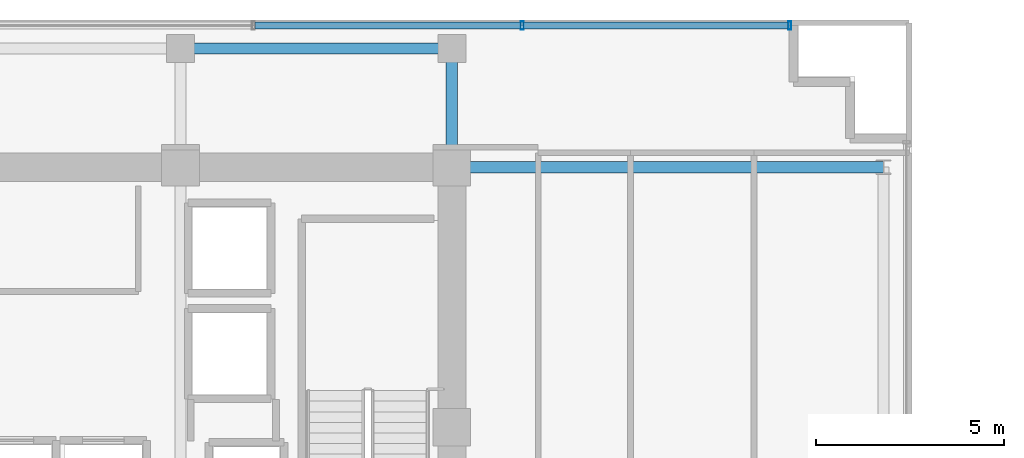
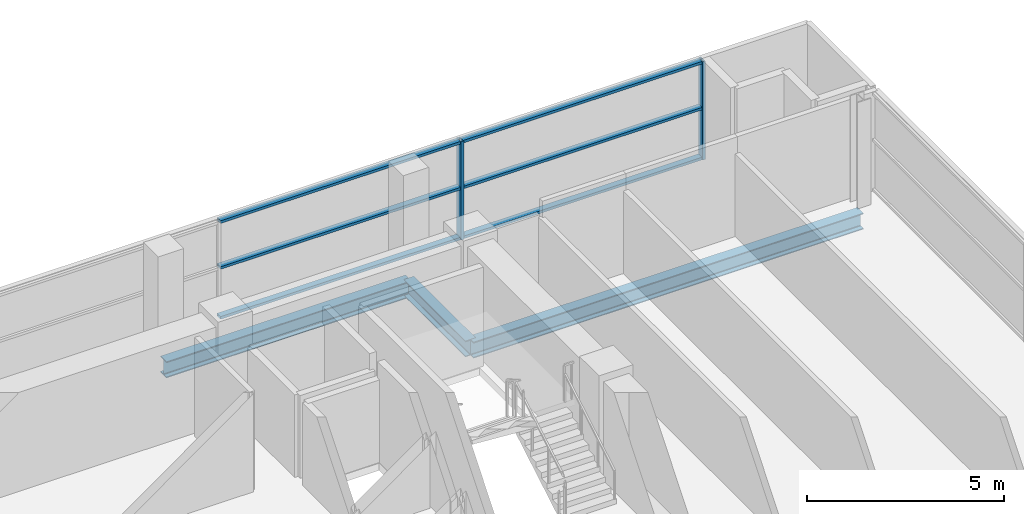
# One storey, part 12 of 21: 8 members, 3 beams, 1 element without a shape of its own.
"""IFC4 building model written with IfcOpenShell, lengths in metres."""

from ifc_helpers import new_model, si_unit, direction, frame, origin, origin_2d, place, context, subcontext, project, spatial, hollow_rectangle, i_section, extrude, source, transform, mapped, material, layer, layer_set, material_profile, profile_set, type_object, element, aggregate, save


model = new_model("IFC4")

# Units and contexts
model_context = context("Model", 3, precision=1e-05, world=origin(), true_north=direction((0.0, 1.0)))
body_context = subcontext(model_context, "Body", "Model", "MODEL_VIEW")
ifc_project = project(units=[si_unit("LENGTHUNIT", "METRE"), si_unit("AREAUNIT", "SQUARE_METRE"), si_unit("VOLUMEUNIT", "CUBIC_METRE"), si_unit("PLANEANGLEUNIT", "RADIAN"), si_unit("MASSUNIT", "GRAM", prefix="KILO")], contexts=[model_context])

# Site, building, storey
site_placement = place(None, origin())
site = spatial("IfcSite", under=ifc_project, at=site_placement, CompositionType="ELEMENT")
building_placement = place(site_placement, origin())
building = spatial("IfcBuilding", under=site, at=building_placement, Name="Zarnakvel Exchange Tower", CompositionType="ELEMENT")
storey_placement = place(building_placement, frame((0.0, 0.0, 182.5)))
storey = spatial("IfcBuildingStorey", under=building, at=storey_placement, Name="L51", CompositionType="ELEMENT", Elevation=182.5)

# Beams
ifc_material_1 = material(Name="Steel S355", Category="steel")
ifc_material_profile_1 = material_profile(ifc_material_1, i_section(OverallWidth=0.300048828125, OverallDepth=0.5, WebThickness=0.014404296875, FlangeThickness=0.028076171875, FilletRadius=0.027099609375, at=origin_2d()))
ifc_profile_set_1 = profile_set([ifc_material_profile_1], Name="Steel S355")
beam_type_1 = type_object("IfcBeamType", Name="G-06", PredefinedType="BEAM", material=ifc_profile_set_1)
beam_1_placement = place(storey_placement, frame((14.39990234375, 13.5, -0.47509765625), z_axis=(1.0, 0.0, 0.0), x_axis=(0.0, 1.0, 0.0)))
element("IfcBeam", 1, at=beam_1_placement, inside=storey, type_object=beam_type_1, Name="L51 Tower E-W Frame Beam", PredefinedType="BEAM", context=body_context, shape_type="SweptSolid", body=[
    extrude(i_section(OverallWidth=0.300048828125, OverallDepth=0.5, WebThickness=0.014404296875, FlangeThickness=0.028076171875, FilletRadius=0.027099609375, at=origin_2d()), origin(), (0.0, 0.0, 1.0), 11.4501953125),
])
beam_2_placement = place(storey_placement, frame((14.39990234375, 13.5, -0.47509765625), z_axis=(0.0, 1.0, 0.0), x_axis=(-1.0, 0.0, 0.0)))
element("IfcBeam", 2, at=beam_2_placement, inside=storey, type_object=beam_type_1, Name="L51 Tower N-S Frame Beam", PredefinedType="BEAM", context=body_context, shape_type="SweptSolid", body=[
    extrude(i_section(OverallWidth=0.300048828125, OverallDepth=0.5, WebThickness=0.014404296875, FlangeThickness=0.028076171875, FilletRadius=0.027099609375, at=origin_2d()), origin(), (0.0, 0.0, 1.0), 3.14990234375),
])
ifc_material_profile_2 = material_profile(ifc_material_1, i_section(OverallWidth=0.300048828125, OverallDepth=0.5, WebThickness=0.014404296875, FlangeThickness=0.028076171875, FilletRadius=0.027099609375, at=origin_2d()))
ifc_profile_set_2 = profile_set([ifc_material_profile_2], Name="Steel S355")
beam_type_2 = type_object("IfcBeamType", Name="SP-02", PredefinedType="SPANDREL", material=ifc_profile_set_2)
beam_3_placement = place(storey_placement, frame((7.199951171875, 16.64990234375, -0.47509765625), z_axis=(1.0, 0.0, 0.0), x_axis=(0.0, 1.0, 0.0)))
element("IfcBeam", 3, at=beam_3_placement, inside=storey, type_object=beam_type_2, Name="L51 Tower E-W Frame Beam", PredefinedType="SPANDREL", context=body_context, shape_type="SweptSolid", body=[
    extrude(i_section(OverallWidth=0.300048828125, OverallDepth=0.5, WebThickness=0.014404296875, FlangeThickness=0.028076171875, FilletRadius=0.027099609375, at=origin_2d()), origin(), (0.0, 0.0, 1.0), 7.199951171875),
])

# Curtain wall, members
ifc_material_2 = material(Name="Architectural Bronze Anodised Aluminium", Category="aluminium")
ifc_layer = layer(ifc_material_2, 0.219970703125)
ifc_layer_set = layer_set([ifc_layer], Name="Architectural Bronze Anodised Aluminium")
curtain_wall_type = type_object("IfcCurtainWallType", Name="CW-03", PredefinedType="NOTDEFINED", material=ifc_layer_set)
curtain_wall_placement = place(storey_placement, origin())
curtain_wall = element("IfcCurtainWall", 4, at=curtain_wall_placement, inside=storey, type_object=curtain_wall_type, Name="L51 Curtain Wall CW-L51-N1 (CW-03)", PredefinedType="NOTDEFINED")
ifc_material_profile_3 = material_profile(ifc_material_2, hollow_rectangle(XDim=0.219970703125, YDim=0.080078125, WallThickness=0.0048828125, at=origin_2d()))
ifc_profile_set_3 = profile_set([ifc_material_profile_3], Name="Architectural Bronze Anodised Aluminium")
member_type_1 = type_object("IfcMemberType", Name="CWM-03", PredefinedType="MULLION", material=ifc_profile_set_3)
shared_shape_1 = source(origin(), body_context, "Body", "SweptSolid", [
    extrude(hollow_rectangle(XDim=0.219970703125, YDim=0.080078125, WallThickness=0.0048828125, at=origin_2d()), origin(), (0.0, 0.0, 1.0), 3.054931640625),
])
member_1_placement = place(storey_placement, frame((16.2666015625, 17.260009765625, 0.0), z_axis=(0.0, 0.0, 1.0), x_axis=(0.0, 1.0, 0.0)))
member_1 = element("IfcMember", 5, at=member_1_placement, type_object=member_type_1, Name="CW-03 mullion 6", PredefinedType="MULLION", context=body_context, shape_type="MappedRepresentation", body=[
    mapped(shared_shape_1, transform((0.0, 0.0, 0.0), x_axis=(1.0, 0.0, 0.0), y_axis=(0.0, 1.0, 0.0), z_axis=(0.0, 0.0, 1.0), scale=1.0)),
])
member_2_placement = place(storey_placement, frame((23.360107421875, 17.260009765625, 0.0), z_axis=(0.0, 0.0, 1.0), x_axis=(0.0, 1.0, 0.0)))
member_2 = element("IfcMember", 6, at=member_2_placement, type_object=member_type_1, Name="CW-03 mullion 7", PredefinedType="MULLION", context=body_context, shape_type="MappedRepresentation", body=[
    mapped(shared_shape_1, transform((0.0, 0.0, 0.0), x_axis=(1.0, 0.0, 0.0), y_axis=(0.0, 1.0, 0.0), z_axis=(0.0, 0.0, 1.0), scale=1.0)),
])
ifc_material_profile_4 = material_profile(ifc_material_2, hollow_rectangle(XDim=0.179931640625, YDim=0.080078125, WallThickness=0.00390625, at=origin_2d()))
ifc_profile_set_4 = profile_set([ifc_material_profile_4], Name="Architectural Bronze Anodised Aluminium")
member_type_2 = type_object("IfcMemberType", Name="CWT-03", PredefinedType="USERDEFINED", material=ifc_profile_set_4)
shared_shape_2 = source(origin(), body_context, "Body", "SweptSolid", [
    extrude(hollow_rectangle(XDim=0.179931640625, YDim=0.080078125, WallThickness=0.00390625, at=origin_2d()), origin(), (0.0, 0.0, 1.0), 7.013427734375),
])
member_3_placement = place(storey_placement, frame((16.306640625, 17.260009765625, 0.0400390625), z_axis=(1.0, 0.0, 0.0), x_axis=(0.0, 1.0, 0.0)))
member_3 = element("IfcMember", 7, at=member_3_placement, type_object=member_type_2, Name="CW-03 transom 6.1", ObjectType="TRANSOM", PredefinedType="USERDEFINED", context=body_context, shape_type="MappedRepresentation", body=[
    mapped(shared_shape_2, transform((0.0, 0.0, 0.0), x_axis=(1.0, 0.0, 0.0), y_axis=(0.0, 1.0, 0.0), z_axis=(0.0, 0.0, 1.0), scale=1.0)),
])
member_4_placement = place(storey_placement, frame((16.306640625, 17.260009765625, 1.588623046875), z_axis=(1.0, 0.0, 0.0), x_axis=(0.0, 1.0, 0.0)))
member_4 = element("IfcMember", 8, at=member_4_placement, type_object=member_type_2, Name="CW-03 transom 6.2", ObjectType="TRANSOM", PredefinedType="USERDEFINED", context=body_context, shape_type="MappedRepresentation", body=[
    mapped(shared_shape_2, transform((0.0, 0.0, 0.0), x_axis=(1.0, 0.0, 0.0), y_axis=(0.0, 1.0, 0.0), z_axis=(0.0, 0.0, 1.0), scale=1.0)),
])
member_5_placement = place(storey_placement, frame((16.306640625, 17.260009765625, 3.014892578125), z_axis=(1.0, 0.0, 0.0), x_axis=(0.0, 1.0, 0.0)))
member_5 = element("IfcMember", 9, at=member_5_placement, type_object=member_type_2, Name="CW-03 transom 6.3", ObjectType="TRANSOM", PredefinedType="USERDEFINED", context=body_context, shape_type="MappedRepresentation", body=[
    mapped(shared_shape_2, transform((0.0, 0.0, 0.0), x_axis=(1.0, 0.0, 0.0), y_axis=(0.0, 1.0, 0.0), z_axis=(0.0, 0.0, 1.0), scale=1.0)),
])
shared_shape_3 = source(origin(), body_context, "Body", "SweptSolid", [
    extrude(hollow_rectangle(XDim=0.179931640625, YDim=0.080078125, WallThickness=0.00390625, at=origin_2d()), origin(), (0.0, 0.0, 1.0), 7.05322265625),
])
member_6_placement = place(storey_placement, frame((9.17333984375, 17.260009765625, 0.0400390625), z_axis=(1.0, 0.0, 0.0), x_axis=(0.0, 1.0, 0.0)))
member_6 = element("IfcMember", 10, at=member_6_placement, type_object=member_type_2, Name="CW-03 transom 5.1", ObjectType="TRANSOM", PredefinedType="USERDEFINED", context=body_context, shape_type="MappedRepresentation", body=[
    mapped(shared_shape_3, transform((0.0, 0.0, 0.0), x_axis=(1.0, 0.0, 0.0), y_axis=(0.0, 1.0, 0.0), z_axis=(0.0, 0.0, 1.0), scale=1.0)),
])
member_7_placement = place(storey_placement, frame((9.17333984375, 17.260009765625, 1.588623046875), z_axis=(1.0, 0.0, 0.0), x_axis=(0.0, 1.0, 0.0)))
member_7 = element("IfcMember", 11, at=member_7_placement, type_object=member_type_2, Name="CW-03 transom 5.2", ObjectType="TRANSOM", PredefinedType="USERDEFINED", context=body_context, shape_type="MappedRepresentation", body=[
    mapped(shared_shape_3, transform((0.0, 0.0, 0.0), x_axis=(1.0, 0.0, 0.0), y_axis=(0.0, 1.0, 0.0), z_axis=(0.0, 0.0, 1.0), scale=1.0)),
])
member_8_placement = place(storey_placement, frame((9.17333984375, 17.260009765625, 3.014892578125), z_axis=(1.0, 0.0, 0.0), x_axis=(0.0, 1.0, 0.0)))
member_8 = element("IfcMember", 12, at=member_8_placement, type_object=member_type_2, Name="CW-03 transom 5.3", ObjectType="TRANSOM", PredefinedType="USERDEFINED", context=body_context, shape_type="MappedRepresentation", body=[
    mapped(shared_shape_3, transform((0.0, 0.0, 0.0), x_axis=(1.0, 0.0, 0.0), y_axis=(0.0, 1.0, 0.0), z_axis=(0.0, 0.0, 1.0), scale=1.0)),
])
aggregate(curtain_wall, [member_1, member_2, member_6, member_7, member_8, member_3, member_4, member_5])

save(model, "model.ifc")
